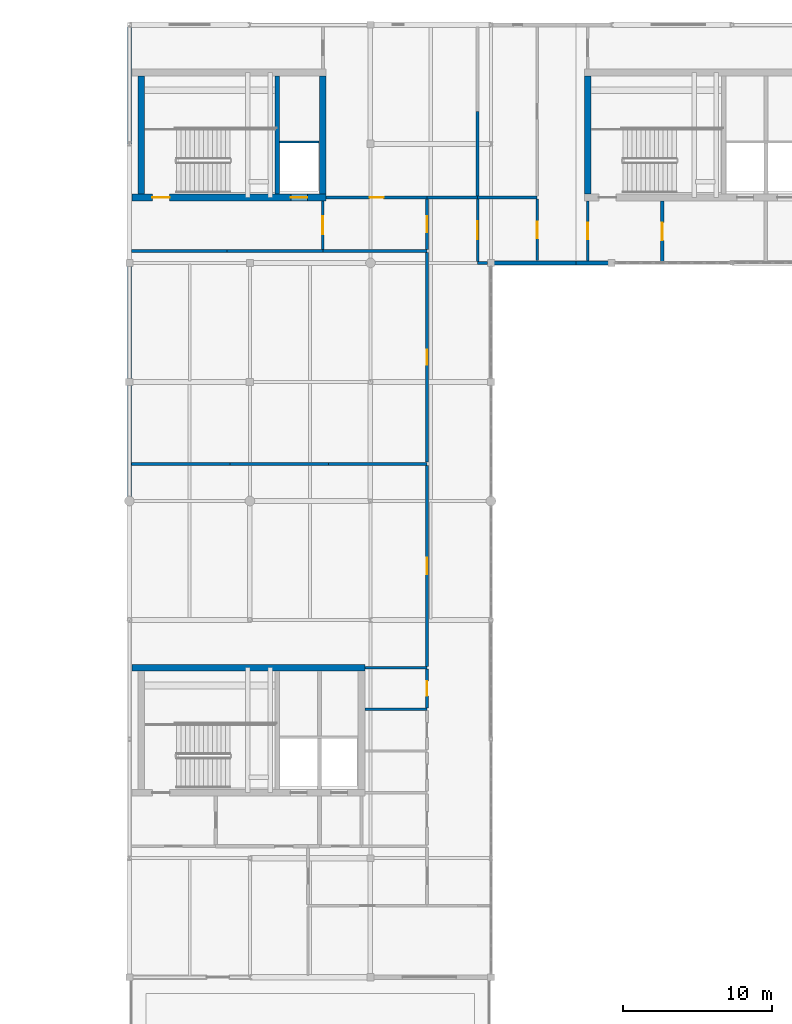
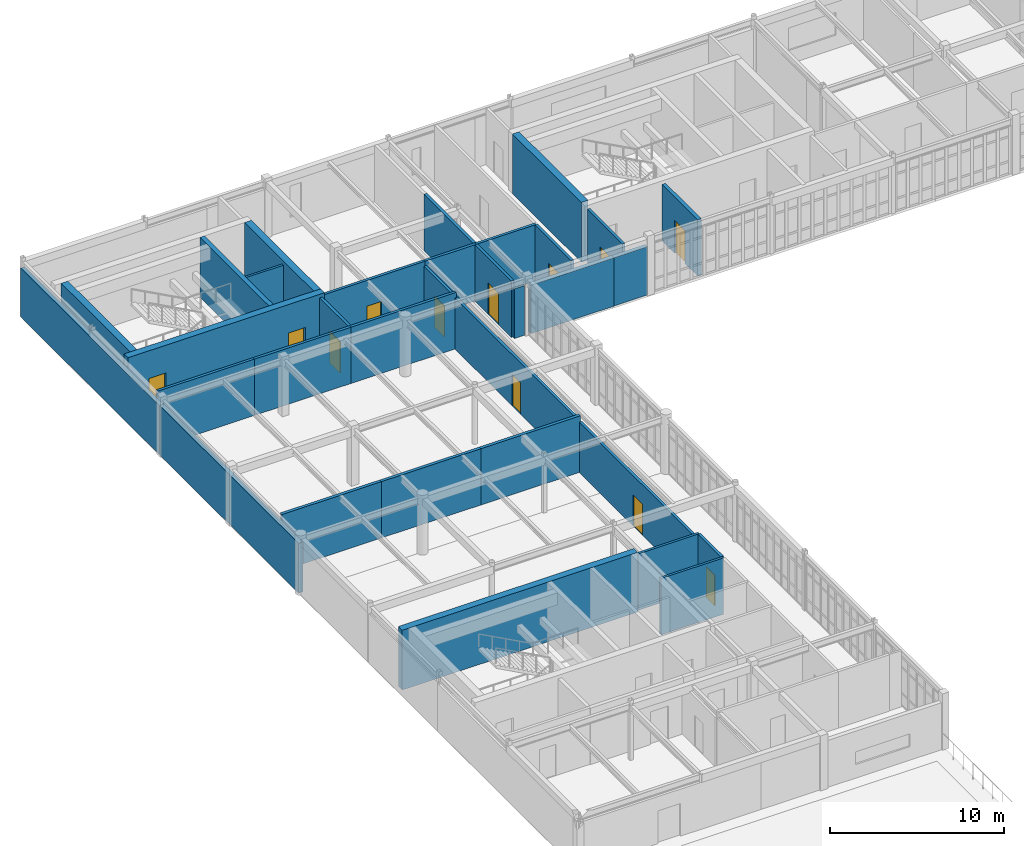
# One storey, part 31 of 36: 33 walls, 12 doors, 12 openings.
"""IFC4 building model written with IfcOpenShell, lengths in metres."""

from ifc_helpers import new_model, si_unit, direction, frame, frame_2d, origin, place, context, subcontext, project, spatial, rectangle, extrude, material, layer, layer_set, type_object, element, fill, save


model = new_model("IFC4")

# Units and contexts
model_context = context("Model", 3, precision=1e-05, world=origin(), true_north=direction((0.0, 1.0)))
body_context = subcontext(model_context, "Body", "Model", "MODEL_VIEW")
ifc_project = project(units=[si_unit("LENGTHUNIT", "METRE"), si_unit("AREAUNIT", "SQUARE_METRE"), si_unit("VOLUMEUNIT", "CUBIC_METRE"), si_unit("PLANEANGLEUNIT", "RADIAN"), si_unit("MASSUNIT", "GRAM", prefix="KILO")], contexts=[model_context])

# Site, building, storey
site_placement = place(None, origin())
site = spatial("IfcSite", under=ifc_project, at=site_placement, CompositionType="ELEMENT")
building_placement = place(site_placement, origin())
building = spatial("IfcBuilding", under=site, at=building_placement, Name="Tarnveldt Square Police Headquarters", CompositionType="ELEMENT")
storey_placement = place(building_placement, frame((0.0, 0.0, 24.89990234375)))
storey = spatial("IfcBuildingStorey", under=building, at=storey_placement, Name="L05", CompositionType="ELEMENT", Elevation=24.89990234375)

# Walls
ifc_material_1 = material(Name="Fire-rated Type X gypsum board on steel studs", Category="steel")
ifc_layer_1 = layer(ifc_material_1, 0.199951171875)
ifc_layer_set_1 = layer_set([ifc_layer_1], Name="Fire-rated Type X gypsum board on steel studs")
wall_type_1 = type_object("IfcWallType", Name="WL-ACOUST-200", PredefinedType="PARTITIONING", material=ifc_layer_set_1)
for number, where, z_axis, x_axis, name in (
    (1, (16.347900390625, 82.5, 0.0), (0.0, 0.0, 1.0), (1.0, 0.0, 0.0), "L05 Interior Partition Wall 0603"),
    (2, (22.96533203125, 82.5, 0.0), (0.0, 0.0, 1.0), (1.0, 0.0, 0.0), "L05 Interior Partition Wall 0604"),
):
    element("IfcWall", number, at=place(storey_placement, frame(where, z_axis=z_axis, x_axis=x_axis)), inside=storey, type_object=wall_type_1, Name=name, PredefinedType="PARTITIONING", context=body_context, shape_type="SweptSolid", body=[
        extrude(rectangle(XDim=6.617431640625, YDim=0.199951171875, at=frame_2d((3.30859375, 0.0))), origin(), (0.0, 0.0, 1.0), 3.960205078125),
    ])
wall_1_placement = place(storey_placement, frame((29.582763671875, 82.5, 0.0), z_axis=(0.0, 0.0, 1.0), x_axis=(1.0, 0.0, 0.0)))
element("IfcWall", 3, at=wall_1_placement, inside=storey, type_object=wall_type_1, Name="L05 Interior Partition Wall 0605", PredefinedType="PARTITIONING", context=body_context, shape_type="SweptSolid", body=[
    extrude(rectangle(XDim=6.6171875, YDim=0.199951171875, at=frame_2d((3.30859375, 0.0))), origin(), (0.0, 0.0, 1.0), 3.960205078125),
])
wall_2_placement = place(storey_placement, frame((39.60009765625, 100.498046875, 0.0), z_axis=(0.0, 0.0, 1.0), x_axis=(0.0, 1.0, 0.0)))
element("IfcWall", 4, at=wall_2_placement, inside=storey, type_object=wall_type_1, Name="L05 Interior Partition Wall 0643", PredefinedType="PARTITIONING", context=body_context, shape_type="SweptSolid", body=[
    extrude(rectangle(XDim=5.677001953125, YDim=0.199951171875, at=frame_2d((2.83837890625, 0.0))), origin(), (0.0, 0.0, 1.0), 3.960205078125),
])
ifc_material_2 = material(Name="Concrete 50 MPa", Category="concrete")
ifc_layer_2 = layer(ifc_material_2, 0.449951171875)
ifc_layer_set_2 = layer_set([ifc_layer_2], Name="Concrete 50 MPa")
wall_type_2 = type_object("IfcWallType", Name="WL-CORE-450", PredefinedType="SHEAR", material=ifc_layer_set_2)
wall_3_placement = place(storey_placement, frame((16.360107421875, 68.800048828125, 0.0), z_axis=(0.0, 0.0, 1.0), x_axis=(1.0, 0.0, 0.0)))
element("IfcWall", 5, at=wall_3_placement, inside=storey, type_object=wall_type_2, Name="Core K1 South-West Command and Firefighting Core L05 North Shear Wall", PredefinedType="SHEAR", context=body_context, shape_type="SweptSolid", body=[
    extrude(rectangle(XDim=15.664794921875, YDim=0.449951171875, at=frame_2d((7.83251953125, 0.0))), origin(), (0.0, 0.0, 1.0), 4.2001953125),
])

# Wall, openings, doors
wall_4_placement = place(storey_placement, frame((16.360107421875, 100.39990234375, 0.0), z_axis=(0.0, 0.0, 1.0), x_axis=(1.0, 0.0, 0.0)))
wall_4 = element("IfcWall", 6, at=wall_4_placement, inside=storey, type_object=wall_type_2, Name="Core K2 North-West Operations Core L05 South Shear Wall", PredefinedType="SHEAR", context=body_context, shape_type="SweptSolid", body=[
    extrude(rectangle(XDim=13.06494140625, YDim=0.449951171875, at=frame_2d((6.532470703125, 0.0))), origin(), (0.0, 0.0, 1.0), 4.2001953125),
])
opening_1_placement = place(wall_4_placement, frame((1.389892578125, 0.0, 0.0)))
opening_1 = element("IfcOpeningElement", 7, at=opening_1_placement, cuts=wall_4, Name="Opening D-ST2-L05", PredefinedType="OPENING", context=body_context, shape_type="SweptSolid", body=[
    extrude(rectangle(XDim=1.14990234375, YDim=2.25, at=frame_2d((0.574951171875, 1.125))), frame((0.0, 0.23486328125, 0.0), z_axis=(0.0, -1.0, 0.0), x_axis=(1.0, 0.0, 0.0)), (0.0, 0.0, 1.0), 0.469970703125),
])
opening_2_placement = place(wall_4_placement, frame((10.695068359375, 0.0, 0.0)))
opening_2 = element("IfcOpeningElement", 8, at=opening_2_placement, cuts=wall_4, Name="Opening LD-LP2-L05", PredefinedType="OPENING", context=body_context, shape_type="SweptSolid", body=[
    extrude(rectangle(XDim=1.10009765625, YDim=2.199951171875, at=frame_2d((0.550048828125, 1.10009765625))), frame((0.0, 0.23486328125, 0.0), z_axis=(0.0, -1.0, 0.0), x_axis=(1.0, 0.0, 0.0)), (0.0, 0.0, 1.0), 0.469970703125),
])
ifc_material_3 = material(Name="Insulated hollow metal steel door leaf", Category="steel")
door_type_1 = type_object("IfcDoorType", Name="DR-FD90-1150", OperationType="NOTDEFINED", PredefinedType="DOOR", material=ifc_material_3)
door_1_placement = place(opening_1_placement, origin())
door_1 = element("IfcDoor", 9, at=door_1_placement, inside=storey, type_object=door_type_1, Name="Exit Stair ST2 L05 Fire Door", OperationType="SINGLE_SWING_LEFT", OverallHeight=2.25, OverallWidth=1.14990234375, PredefinedType="DOOR", context=body_context, shape_type="SweptSolid", body=[
    extrude(rectangle(XDim=1.14990234375, YDim=2.25, at=frame_2d((0.574951171875, 1.125))), frame((0.0, 0.02490234375, 0.0), z_axis=(0.0, -1.0, 0.0), x_axis=(1.0, 0.0, 0.0)), (0.0, 0.0, 1.0), 0.050048828125),
])
fill(opening_1, door_1)
ifc_material_4 = material(Name="Steel 350W", Category="steel")
door_type_2 = type_object("IfcDoorType", Name="DR-LD-1100", OperationType="DOUBLE_DOOR_SLIDING", PredefinedType="DOOR", material=ifc_material_4)
door_2_placement = place(opening_2_placement, frame((1.10009765625, 0.0, 0.0), z_axis=(0.0, 0.0, 1.0), x_axis=(-1.0, 0.0, 0.0)))
door_2 = element("IfcDoor", 10, at=door_2_placement, inside=storey, type_object=door_type_2, Name="Elevator LP2 L05 Sliding Landing Door", OperationType="DOUBLE_DOOR_SLIDING", OverallHeight=2.199951171875, OverallWidth=1.10009765625, PredefinedType="DOOR", context=body_context, shape_type="SweptSolid", body=[
    extrude(rectangle(XDim=1.10009765625, YDim=2.199951171875, at=frame_2d((0.550048828125, 1.10009765625))), frame((0.0, 0.02490234375, 0.0), z_axis=(0.0, -1.0, 0.0), x_axis=(1.0, 0.0, 0.0)), (0.0, 0.0, 1.0), 0.050048828125),
])
fill(opening_2, door_2)

# Walls
for number, where, z_axis, x_axis, name in (
    (11, (17.0, 100.625, 0.0), (0.0, 0.0, 1.0), (0.0, 1.0, 0.0), "Core K2 North-West Operations Core L05 West Shear Wall"),
    (12, (29.199951171875, 100.625, 0.0), (0.0, 0.0, 1.0), (0.0, 1.0, 0.0), "Core K2 North-West Operations Core L05 East Shear Wall"),
):
    element("IfcWall", number, at=place(storey_placement, frame(where, z_axis=z_axis, x_axis=x_axis)), inside=storey, type_object=wall_type_2, Name=name, PredefinedType="SHEAR", context=body_context, shape_type="SweptSolid", body=[
        extrude(rectangle(XDim=7.949951171875, YDim=0.449951171875, at=frame_2d((3.97509765625, 0.0))), origin(), (0.0, 0.0, 1.0), 4.2001953125),
    ])
wall_5_placement = place(storey_placement, frame((26.14990234375, 100.625, 0.0), z_axis=(0.0, 0.0, 1.0), x_axis=(0.0, 1.0, 0.0)))
element("IfcWall", 13, at=wall_5_placement, inside=storey, type_object=wall_type_2, Name="Core K2 North-West Operations Core L05 Stair-Lift Divider Shear Wall", PredefinedType="SHEAR", context=body_context, shape_type="SweptSolid", body=[
    extrude(rectangle(XDim=7.949951171875, YDim=0.300048828125, at=frame_2d((3.97509765625, 0.0))), origin(), (0.0, 0.0, 1.0), 4.2001953125),
])
wall_6_placement = place(storey_placement, frame((47.0, 100.625, 0.0), z_axis=(0.0, 0.0, 1.0), x_axis=(0.0, 1.0, 0.0)))
element("IfcWall", 14, at=wall_6_placement, inside=storey, type_object=wall_type_2, Name="Core K3 North-Central Forensic and Firefighting Core L05 West Shear Wall", PredefinedType="SHEAR", context=body_context, shape_type="SweptSolid", body=[
    extrude(rectangle(XDim=7.949951171875, YDim=0.449951171875, at=frame_2d((3.97509765625, 0.0))), origin(), (0.0, 0.0, 1.0), 4.2001953125),
])
ifc_material_5 = material(Name="Precast concrete 35 MPa", Category="concrete")
ifc_layer_3 = layer(ifc_material_5, 0.260009765625)
ifc_layer_set_3 = layer_set([ifc_layer_3], Name="Precast concrete 35 MPa")
wall_type_3 = type_object("IfcWallType", Name="WL-EXT-PC260", PredefinedType="SOLIDWALL", material=ifc_layer_set_3)
wall_7_placement = place(storey_placement, frame((46.199951171875, 96.0, 0.0), z_axis=(0.0, 0.0, 1.0), x_axis=(1.0, 0.0, 0.0)))
element("IfcWall", 15, at=wall_7_placement, inside=storey, type_object=wall_type_3, Name="L05 Brutalist Exterior Wall 0214", PredefinedType="SOLIDWALL", context=body_context, shape_type="SweptSolid", body=[
    extrude(rectangle(XDim=2.219970703125, YDim=0.260009765625, at=frame_2d((1.10986328125, 0.0))), origin(), (0.0, 0.0, 1.0), 3.402099609375),
])
ifc_layer_4 = layer(ifc_material_5, 0.280029296875)
ifc_layer_set_4 = layer_set([ifc_layer_4], Name="Precast concrete 35 MPa")
wall_type_4 = type_object("IfcWallType", Name="WL-EXT-PC280", PredefinedType="SOLIDWALL", material=ifc_layer_set_4)
wall_8_placement = place(storey_placement, frame((40.679931640625, 96.0, 0.0), z_axis=(0.0, 0.0, 1.0), x_axis=(1.0, 0.0, 0.0)))
element("IfcWall", 16, at=wall_8_placement, inside=storey, type_object=wall_type_4, Name="L05 Brutalist Exterior Wall 0213", PredefinedType="SOLIDWALL", context=body_context, shape_type="SweptSolid", body=[
    extrude(rectangle(XDim=5.52001953125, YDim=0.280029296875, at=frame_2d((2.760009765625, 0.0))), origin(), (0.0, 0.0, 1.0), 3.402099609375),
])
wall_9_placement = place(storey_placement, frame((16.199951171875, 112.0, 0.0), z_axis=(0.0, 0.0, 1.0), x_axis=(0.0, -1.0, 0.0)))
element("IfcWall", 17, at=wall_9_placement, inside=storey, type_object=wall_type_4, Name="L05 Brutalist Exterior Wall 0223", PredefinedType="SOLIDWALL", context=body_context, shape_type="SweptSolid", body=[
    extrude(rectangle(XDim=16.0, YDim=0.280029296875, at=frame_2d((8.0, 0.0))), origin(), (0.0, 0.0, 1.0), 3.4521484375),
])
wall_10_placement = place(storey_placement, frame((16.199951171875, 96.0, 0.0), z_axis=(0.0, 0.0, 1.0), x_axis=(0.0, -1.0, 0.0)))
element("IfcWall", 18, at=wall_10_placement, inside=storey, type_object=wall_type_4, Name="L05 Brutalist Exterior Wall 0224", PredefinedType="SOLIDWALL", context=body_context, shape_type="SweptSolid", body=[
    extrude(rectangle(XDim=16.0, YDim=0.280029296875, at=frame_2d((8.0, 0.0))), origin(), (0.0, 0.0, 1.0), 3.489013671875),
])
ifc_layer_5 = layer(ifc_material_1, 0.179931640625)
ifc_layer_set_5 = layer_set([ifc_layer_5], Name="Fire-rated Type X gypsum board on steel studs")
wall_type_5 = type_object("IfcWallType", Name="WL-FIRE-180", PredefinedType="PARTITIONING", material=ifc_layer_set_5)
for number, where, z_axis, x_axis, name in (
    (19, (16.347900390625, 96.800048828125, 0.0), (0.0, 0.0, 1.0), (1.0, 0.0, 0.0), "L05 Interior Partition Wall 0606"),
    (20, (22.77392578125, 96.800048828125, 0.0), (0.0, 0.0, 1.0), (1.0, 0.0, 0.0), "L05 Interior Partition Wall 0607"),
):
    element("IfcWall", number, at=place(storey_placement, frame(where, z_axis=z_axis, x_axis=x_axis)), inside=storey, type_object=wall_type_5, Name=name, PredefinedType="PARTITIONING", context=body_context, shape_type="SweptSolid", body=[
        extrude(rectangle(XDim=6.426025390625, YDim=0.179931640625, at=frame_2d((3.212890625, 0.0))), origin(), (0.0, 0.0, 1.0), 3.960205078125),
    ])
wall_11_placement = place(storey_placement, frame((29.199951171875, 96.800048828125, 0.0), z_axis=(0.0, 0.0, 1.0), x_axis=(1.0, 0.0, 0.0)))
element("IfcWall", 21, at=wall_11_placement, inside=storey, type_object=wall_type_5, Name="L05 Interior Partition Wall 0612", PredefinedType="PARTITIONING", context=body_context, shape_type="SweptSolid", body=[
    extrude(rectangle(XDim=7.0, YDim=0.179931640625, at=frame_2d((3.5, 0.0))), origin(), (0.0, 0.0, 1.0), 3.960205078125),
])

# Wall, opening, door
wall_12_placement = place(storey_placement, frame((29.425048828125, 100.39990234375, 0.0), z_axis=(0.0, 0.0, 1.0), x_axis=(1.0, 0.0, 0.0)))
wall_12 = element("IfcWall", 22, at=wall_12_placement, inside=storey, type_object=wall_type_5, Name="L05 Interior Partition Wall 0613", PredefinedType="PARTITIONING", context=body_context, shape_type="SweptSolid", body=[
    extrude(rectangle(XDim=6.77490234375, YDim=0.179931640625, at=frame_2d((3.387451171875, 0.0))), origin(), (0.0, 0.0, 1.0), 3.960205078125),
])
opening_3_placement = place(wall_12_placement, frame((2.91259765625, 0.0, 0.0)))
opening_3 = element("IfcOpeningElement", 23, at=opening_3_placement, cuts=wall_12, Name="Opening D03", PredefinedType="OPENING", context=body_context, shape_type="SweptSolid", body=[
    extrude(rectangle(XDim=0.949951171875, YDim=2.14990234375, at=frame_2d((0.47509765625, 1.074951171875))), frame((0.0, 0.099853515625, 0.0), z_axis=(0.0, -1.0, 0.0), x_axis=(1.0, 0.0, 0.0)), (0.0, 0.0, 1.0), 0.199951171875),
])
ifc_material_6 = material(Name="Solid core architectural birch door leaf", Category="wood")
door_type_3 = type_object("IfcDoorType", Name="DR-INT-950", OperationType="NOTDEFINED", PredefinedType="DOOR", material=ifc_material_6)
door_3_placement = place(opening_3_placement, origin())
door_3 = element("IfcDoor", 24, at=door_3_placement, inside=storey, type_object=door_type_3, Name="Forensic Behavioral Interview Suite Door", OperationType="SINGLE_SWING_LEFT", OverallHeight=2.14990234375, OverallWidth=0.949951171875, PredefinedType="DOOR", context=body_context, shape_type="SweptSolid", body=[
    extrude(rectangle(XDim=0.949951171875, YDim=2.14990234375, at=frame_2d((0.47509765625, 1.074951171875))), frame((0.0, 0.02490234375, 0.0), z_axis=(0.0, -1.0, 0.0), x_axis=(1.0, 0.0, 0.0)), (0.0, 0.0, 1.0), 0.050048828125),
])
fill(opening_3, door_3)

# Walls
wall_13_placement = place(storey_placement, frame((36.199951171875, 100.39990234375, 0.0), z_axis=(0.0, 0.0, 1.0), x_axis=(1.0, 0.0, 0.0)))
element("IfcWall", 25, at=wall_13_placement, inside=storey, type_object=wall_type_5, Name="L05 Interior Partition Wall 0620", PredefinedType="PARTITIONING", context=body_context, shape_type="SweptSolid", body=[
    extrude(rectangle(XDim=3.400146484375, YDim=0.179931640625, at=frame_2d((1.7001953125, 0.0))), origin(), (0.0, 0.0, 1.0), 3.960205078125),
])
wall_14_placement = place(storey_placement, frame((39.60009765625, 96.0, 0.0), z_axis=(0.0, 0.0, 1.0), x_axis=(1.0, 0.0, 0.0)))
element("IfcWall", 26, at=wall_14_placement, inside=storey, type_object=wall_type_5, Name="L05 Interior Partition Wall 0622", PredefinedType="PARTITIONING", context=body_context, shape_type="SweptSolid", body=[
    extrude(rectangle(XDim=0.6669921875, YDim=0.179931640625, at=frame_2d((0.33349609375, 0.0))), origin(), (0.0, 0.0, 1.0), 3.489013671875),
])
wall_15_placement = place(storey_placement, frame((39.60009765625, 100.39990234375, 0.0), z_axis=(0.0, 0.0, 1.0), x_axis=(1.0, 0.0, 0.0)))
element("IfcWall", 27, at=wall_15_placement, inside=storey, type_object=wall_type_5, Name="L05 Interior Partition Wall 0623", PredefinedType="PARTITIONING", context=body_context, shape_type="SweptSolid", body=[
    extrude(rectangle(XDim=4.0, YDim=0.179931640625, at=frame_2d((2.0, 0.0))), origin(), (0.0, 0.0, 1.0), 3.960205078125),
])

# Wall, opening, door
wall_16_placement = place(storey_placement, frame((29.199951171875, 96.89794921875, 0.0), z_axis=(0.0, 0.0, 1.0), x_axis=(0.0, 1.0, 0.0)))
wall_16 = element("IfcWall", 28, at=wall_16_placement, inside=storey, type_object=wall_type_5, Name="L05 Interior Partition Wall 0631", PredefinedType="PARTITIONING", context=body_context, shape_type="SweptSolid", body=[
    extrude(rectangle(XDim=3.26904296875, YDim=0.179931640625, at=frame_2d((1.634521484375, 0.0))), origin(), (0.0, 0.0, 1.0), 3.960205078125),
])
opening_4_placement = place(wall_16_placement, frame((1.034423828125, 0.0, 0.0)))
opening_4 = element("IfcOpeningElement", 29, at=opening_4_placement, cuts=wall_16, Name="Opening D16", PredefinedType="OPENING", context=body_context, shape_type="SweptSolid", body=[
    extrude(rectangle(XDim=1.199951171875, YDim=2.199951171875, at=frame_2d((0.60009765625, 1.10009765625))), frame((0.0, 0.099853515625, 0.0), z_axis=(0.0, -1.0, 0.0), x_axis=(1.0, 0.0, 0.0)), (0.0, 0.0, 1.0), 0.199951171875),
])
door_type_4 = type_object("IfcDoorType", Name="DR-FD60-1200", OperationType="NOTDEFINED", PredefinedType="DOOR", material=ifc_material_3)
door_4_placement = place(opening_4_placement, frame((1.199951171875, 0.0, 0.0), z_axis=(0.0, 0.0, 1.0), x_axis=(-1.0, 0.0, 0.0)))
door_4 = element("IfcDoor", 30, at=door_4_placement, inside=storey, type_object=door_type_4, Name="Core Lift Lobby K2-L05 Door", OperationType="SINGLE_SWING_LEFT", OverallHeight=2.199951171875, OverallWidth=1.199951171875, PredefinedType="DOOR", context=body_context, shape_type="SweptSolid", body=[
    extrude(rectangle(XDim=1.199951171875, YDim=2.199951171875, at=frame_2d((0.60009765625, 1.10009765625))), frame((0.0, 0.02490234375, 0.0), z_axis=(0.0, -1.0, 0.0), x_axis=(1.0, 0.0, 0.0)), (0.0, 0.0, 1.0), 0.050048828125),
])
fill(opening_4, door_4)

wall_17_placement = place(storey_placement, frame((36.199951171875, 66.087890625, 0.0), z_axis=(0.0, 0.0, 1.0), x_axis=(0.0, 1.0, 0.0)))
wall_17 = element("IfcWall", 31, at=wall_17_placement, inside=storey, type_object=wall_type_5, Name="L05 Interior Partition Wall 0638", PredefinedType="PARTITIONING", context=body_context, shape_type="SweptSolid", body=[
    extrude(rectangle(XDim=2.6240234375, YDim=0.179931640625, at=frame_2d((1.31201171875, 0.0))), origin(), (0.0, 0.0, 1.0), 3.960205078125),
])
opening_5_placement = place(wall_17_placement, frame((0.81201171875, 0.0, 0.0)))
opening_5 = element("IfcOpeningElement", 32, at=opening_5_placement, cuts=wall_17, Name="Opening D04", PredefinedType="OPENING", context=body_context, shape_type="SweptSolid", body=[
    extrude(rectangle(XDim=1.0, YDim=2.14990234375, at=frame_2d((0.5, 1.074951171875))), frame((0.0, 0.099853515625, 0.0), z_axis=(0.0, -1.0, 0.0), x_axis=(1.0, 0.0, 0.0)), (0.0, 0.0, 1.0), 0.199951171875),
])
door_type_5 = type_object("IfcDoorType", Name="DR-ACC-1000", OperationType="NOTDEFINED", PredefinedType="DOOR", material=ifc_material_6)
door_5_placement = place(opening_5_placement, origin())
door_5 = element("IfcDoor", 33, at=door_5_placement, inside=storey, type_object=door_type_5, Name="Accessible WC L05 Door", OperationType="SINGLE_SWING_LEFT", OverallHeight=2.14990234375, OverallWidth=1.0, PredefinedType="DOOR", context=body_context, shape_type="SweptSolid", body=[
    extrude(rectangle(XDim=1.0, YDim=2.14990234375, at=frame_2d((0.5, 1.074951171875))), frame((0.0, 0.02490234375, 0.0), z_axis=(0.0, -1.0, 0.0), x_axis=(1.0, 0.0, 0.0)), (0.0, 0.0, 1.0), 0.050048828125),
])
fill(opening_5, door_5)

wall_18_placement = place(storey_placement, frame((36.199951171875, 68.887939453125, 0.0), z_axis=(0.0, 0.0, 1.0), x_axis=(0.0, 1.0, 0.0)))
wall_18 = element("IfcWall", 34, at=wall_18_placement, inside=storey, type_object=wall_type_5, Name="L05 Interior Partition Wall 0639", PredefinedType="PARTITIONING", context=body_context, shape_type="SweptSolid", body=[
    extrude(rectangle(XDim=13.504150390625, YDim=0.179931640625, at=frame_2d((6.751953125, 0.0))), origin(), (0.0, 0.0, 1.0), 3.545166015625),
])
opening_6_placement = place(wall_18_placement, frame((6.201904296875, 0.0, 0.0)))
opening_6 = element("IfcOpeningElement", 35, at=opening_6_placement, cuts=wall_18, Name="Opening D07", PredefinedType="OPENING", context=body_context, shape_type="SweptSolid", body=[
    extrude(rectangle(XDim=1.10009765625, YDim=2.199951171875, at=frame_2d((0.550048828125, 1.10009765625))), frame((0.0, 0.099853515625, 0.0), z_axis=(0.0, -1.0, 0.0), x_axis=(1.0, 0.0, 0.0)), (0.0, 0.0, 1.0), 0.199951171875),
])
door_type_6 = type_object("IfcDoorType", Name="DR-INT-1100", OperationType="NOTDEFINED", PredefinedType="DOOR", material=ifc_material_6)
door_6_placement = place(opening_6_placement, origin())
door_6 = element("IfcDoor", 36, at=door_6_placement, inside=storey, type_object=door_type_6, Name="Homicide Squad Investigation Bureau Door", OperationType="SINGLE_SWING_RIGHT", OverallHeight=2.199951171875, OverallWidth=1.10009765625, PredefinedType="DOOR", context=body_context, shape_type="SweptSolid", body=[
    extrude(rectangle(XDim=1.10009765625, YDim=2.199951171875, at=frame_2d((0.550048828125, 1.10009765625))), frame((0.0, 0.02490234375, 0.0), z_axis=(0.0, -1.0, 0.0), x_axis=(1.0, 0.0, 0.0)), (0.0, 0.0, 1.0), 0.050048828125),
])
fill(opening_6, door_6)

wall_19_placement = place(storey_placement, frame((36.199951171875, 82.60791015625, 0.0), z_axis=(0.0, 0.0, 1.0), x_axis=(0.0, 1.0, 0.0)))
wall_19 = element("IfcWall", 37, at=wall_19_placement, inside=storey, type_object=wall_type_5, Name="L05 Interior Partition Wall 0640", PredefinedType="PARTITIONING", context=body_context, shape_type="SweptSolid", body=[
    extrude(rectangle(XDim=14.093994140625, YDim=0.179931640625, at=frame_2d((7.046875, 0.0))), origin(), (0.0, 0.0, 1.0), 3.60498046875),
])
opening_7_placement = place(wall_19_placement, frame((6.547119140625, 0.0, 0.0)))
opening_7 = element("IfcOpeningElement", 38, at=opening_7_placement, cuts=wall_19, Name="Opening D05", PredefinedType="OPENING", context=body_context, shape_type="SweptSolid", body=[
    extrude(rectangle(XDim=1.0, YDim=2.199951171875, at=frame_2d((0.5, 1.10009765625))), frame((0.0, 0.099853515625, 0.0), z_axis=(0.0, -1.0, 0.0), x_axis=(1.0, 0.0, 0.0)), (0.0, 0.0, 1.0), 0.199951171875),
])
door_type_7 = type_object("IfcDoorType", Name="DR-INT-1000", OperationType="NOTDEFINED", PredefinedType="DOOR", material=ifc_material_6)
door_7_placement = place(opening_7_placement, origin())
door_7 = element("IfcDoor", 39, at=door_7_placement, inside=storey, type_object=door_type_7, Name="Cold Case Homicide Review Room Door", OperationType="SINGLE_SWING_LEFT", OverallHeight=2.199951171875, OverallWidth=1.0, PredefinedType="DOOR", context=body_context, shape_type="SweptSolid", body=[
    extrude(rectangle(XDim=1.0, YDim=2.199951171875, at=frame_2d((0.5, 1.10009765625))), frame((0.0, 0.02490234375, 0.0), z_axis=(0.0, -1.0, 0.0), x_axis=(1.0, 0.0, 0.0)), (0.0, 0.0, 1.0), 0.050048828125),
])
fill(opening_7, door_7)

wall_20_placement = place(storey_placement, frame((36.199951171875, 96.89794921875, 0.0), z_axis=(0.0, 0.0, 1.0), x_axis=(0.0, 1.0, 0.0)))
wall_20 = element("IfcWall", 40, at=wall_20_placement, inside=storey, type_object=wall_type_5, Name="L05 Interior Partition Wall 0641", PredefinedType="PARTITIONING", context=body_context, shape_type="SweptSolid", body=[
    extrude(rectangle(XDim=3.404052734375, YDim=0.179931640625, at=frame_2d((1.7021484375, 0.0))), origin(), (0.0, 0.0, 1.0), 3.649169921875),
])
opening_8_placement = place(wall_20_placement, frame((1.152099609375, 0.0, 0.0)))
opening_8 = element("IfcOpeningElement", 41, at=opening_8_placement, cuts=wall_20, Name="Opening D15", PredefinedType="OPENING", context=body_context, shape_type="SweptSolid", body=[
    extrude(rectangle(XDim=1.10009765625, YDim=2.199951171875, at=frame_2d((0.550048828125, 1.10009765625))), frame((0.0, 0.099853515625, 0.0), z_axis=(0.0, -1.0, 0.0), x_axis=(1.0, 0.0, 0.0)), (0.0, 0.0, 1.0), 0.199951171875),
])
door_type_8 = type_object("IfcDoorType", Name="DR-FD60-1100", OperationType="NOTDEFINED", PredefinedType="DOOR", material=ifc_material_3)
door_8_placement = place(opening_8_placement, origin())
door_8 = element("IfcDoor", 42, at=door_8_placement, inside=storey, type_object=door_type_8, Name="Core K2 East Vestibule L05 Door", OperationType="SINGLE_SWING_RIGHT", OverallHeight=2.199951171875, OverallWidth=1.10009765625, PredefinedType="DOOR", context=body_context, shape_type="SweptSolid", body=[
    extrude(rectangle(XDim=1.10009765625, YDim=2.199951171875, at=frame_2d((0.550048828125, 1.10009765625))), frame((0.0, 0.02490234375, 0.0), z_axis=(0.0, -1.0, 0.0), x_axis=(1.0, 0.0, 0.0)), (0.0, 0.0, 1.0), 0.050048828125),
])
fill(opening_8, door_8)

wall_21_placement = place(storey_placement, frame((39.60009765625, 96.097900390625, 0.0), z_axis=(0.0, 0.0, 1.0), x_axis=(0.0, 1.0, 0.0)))
wall_21 = element("IfcWall", 43, at=wall_21_placement, inside=storey, type_object=wall_type_5, Name="L05 Interior Partition Wall 0642", PredefinedType="PARTITIONING", context=body_context, shape_type="SweptSolid", body=[
    extrude(rectangle(XDim=4.2041015625, YDim=0.179931640625, at=frame_2d((2.10205078125, 0.0))), origin(), (0.0, 0.0, 1.0), 3.960205078125),
])
opening_9_placement = place(wall_21_placement, frame((1.501953125, 0.0, 0.0)))
opening_9 = element("IfcOpeningElement", 44, at=opening_9_placement, cuts=wall_21, Name="Opening D16", PredefinedType="OPENING", context=body_context, shape_type="SweptSolid", body=[
    extrude(rectangle(XDim=1.199951171875, YDim=2.199951171875, at=frame_2d((0.60009765625, 1.10009765625))), frame((0.0, 0.099853515625, 0.0), z_axis=(0.0, -1.0, 0.0), x_axis=(1.0, 0.0, 0.0)), (0.0, 0.0, 1.0), 0.199951171875),
])
door_9_placement = place(opening_9_placement, frame((1.199951171875, 0.0, 0.0), z_axis=(0.0, 0.0, 1.0), x_axis=(-1.0, 0.0, 0.0)))
door_9 = element("IfcDoor", 45, at=door_9_placement, inside=storey, type_object=door_type_4, Name="North-West Forensic Vestibule L05 Door", OperationType="SINGLE_SWING_LEFT", OverallHeight=2.199951171875, OverallWidth=1.199951171875, PredefinedType="DOOR", context=body_context, shape_type="SweptSolid", body=[
    extrude(rectangle(XDim=1.199951171875, YDim=2.199951171875, at=frame_2d((0.60009765625, 1.10009765625))), frame((0.0, 0.02490234375, 0.0), z_axis=(0.0, -1.0, 0.0), x_axis=(1.0, 0.0, 0.0)), (0.0, 0.0, 1.0), 0.050048828125),
])
fill(opening_9, door_9)

wall_22_placement = place(storey_placement, frame((43.60009765625, 96.14794921875, 0.0), z_axis=(0.0, 0.0, 1.0), x_axis=(0.0, 1.0, 0.0)))
wall_22 = element("IfcWall", 46, at=wall_22_placement, inside=storey, type_object=wall_type_5, Name="L05 Interior Partition Wall 0645", PredefinedType="PARTITIONING", context=body_context, shape_type="SweptSolid", body=[
    extrude(rectangle(XDim=4.154052734375, YDim=0.179931640625, at=frame_2d((2.0771484375, 0.0))), origin(), (0.0, 0.0, 1.0), 3.960205078125),
])
opening_10_placement = place(wall_22_placement, frame((1.527099609375, 0.0, 0.0)))
opening_10 = element("IfcOpeningElement", 47, at=opening_10_placement, cuts=wall_22, Name="Opening D15", PredefinedType="OPENING", context=body_context, shape_type="SweptSolid", body=[
    extrude(rectangle(XDim=1.10009765625, YDim=2.199951171875, at=frame_2d((0.550048828125, 1.10009765625))), frame((0.0, 0.099853515625, 0.0), z_axis=(0.0, -1.0, 0.0), x_axis=(1.0, 0.0, 0.0)), (0.0, 0.0, 1.0), 0.199951171875),
])
door_10_placement = place(opening_10_placement, origin())
door_10 = element("IfcDoor", 48, at=door_10_placement, inside=storey, type_object=door_type_8, Name="North-West Forensic Vestibule L05 Secondary Door", OperationType="SINGLE_SWING_RIGHT", OverallHeight=2.199951171875, OverallWidth=1.10009765625, PredefinedType="DOOR", context=body_context, shape_type="SweptSolid", body=[
    extrude(rectangle(XDim=1.10009765625, YDim=2.199951171875, at=frame_2d((0.550048828125, 1.10009765625))), frame((0.0, 0.02490234375, 0.0), z_axis=(0.0, -1.0, 0.0), x_axis=(1.0, 0.0, 0.0)), (0.0, 0.0, 1.0), 0.050048828125),
])
fill(opening_10, door_10)

wall_23_placement = place(storey_placement, frame((47.0, 96.137939453125, 0.0), z_axis=(0.0, 0.0, 1.0), x_axis=(0.0, 1.0, 0.0)))
wall_23 = element("IfcWall", 49, at=wall_23_placement, inside=storey, type_object=wall_type_5, Name="L05 Interior Partition Wall 0647", PredefinedType="PARTITIONING", context=body_context, shape_type="SweptSolid", body=[
    extrude(rectangle(XDim=4.029052734375, YDim=0.179931640625, at=frame_2d((2.0146484375, 0.0))), origin(), (0.0, 0.0, 1.0), 3.960205078125),
])
opening_11_placement = place(wall_23_placement, frame((1.464599609375, 0.0, 0.0)))
opening_11 = element("IfcOpeningElement", 50, at=opening_11_placement, cuts=wall_23, Name="Opening D15", PredefinedType="OPENING", context=body_context, shape_type="SweptSolid", body=[
    extrude(rectangle(XDim=1.10009765625, YDim=2.199951171875, at=frame_2d((0.550048828125, 1.10009765625))), frame((0.0, 0.099853515625, 0.0), z_axis=(0.0, -1.0, 0.0), x_axis=(1.0, 0.0, 0.0)), (0.0, 0.0, 1.0), 0.199951171875),
])
door_11_placement = place(opening_11_placement, origin())
door_11 = element("IfcDoor", 51, at=door_11_placement, inside=storey, type_object=door_type_8, Name="Core Stair Lobby K3-L05 Door", OperationType="SINGLE_SWING_RIGHT", OverallHeight=2.199951171875, OverallWidth=1.10009765625, PredefinedType="DOOR", context=body_context, shape_type="SweptSolid", body=[
    extrude(rectangle(XDim=1.10009765625, YDim=2.199951171875, at=frame_2d((0.550048828125, 1.10009765625))), frame((0.0, 0.02490234375, 0.0), z_axis=(0.0, -1.0, 0.0), x_axis=(1.0, 0.0, 0.0)), (0.0, 0.0, 1.0), 0.050048828125),
])
fill(opening_11, door_11)

ifc_material_7 = material(Name="Concrete block masonry 15 MPa", Category="masonry")
ifc_layer_6 = layer(ifc_material_7, 0.239990234375)
ifc_layer_set_6 = layer_set([ifc_layer_6], Name="Concrete block masonry 15 MPa")
wall_type_6 = type_object("IfcWallType", Name="WL-FIRE-240", PredefinedType="PARTITIONING", material=ifc_layer_set_6)
wall_24_placement = place(storey_placement, frame((52.0, 96.06494140625, 0.0), z_axis=(0.0, 0.0, 1.0), x_axis=(0.0, 1.0, 0.0)))
wall_24 = element("IfcWall", 52, at=wall_24_placement, inside=storey, type_object=wall_type_6, Name="L05 Interior Partition Wall 0649", PredefinedType="PARTITIONING", context=body_context, shape_type="SweptSolid", body=[
    extrude(rectangle(XDim=4.10205078125, YDim=0.239990234375, at=frame_2d((2.051025390625, 0.0))), origin(), (0.0, 0.0, 1.0), 3.960205078125),
])
opening_12_placement = place(wall_24_placement, frame((1.450927734375, 0.0, 0.0)))
opening_12 = element("IfcOpeningElement", 53, at=opening_12_placement, cuts=wall_24, Name="Opening D20", PredefinedType="OPENING", context=body_context, shape_type="SweptSolid", body=[
    extrude(rectangle(XDim=1.199951171875, YDim=2.300048828125, at=frame_2d((0.60009765625, 1.14990234375))), frame((0.0, 0.1298828125, 0.0), z_axis=(0.0, -1.0, 0.0), x_axis=(1.0, 0.0, 0.0)), (0.0, 0.0, 1.0), 0.260009765625),
])
door_type_9 = type_object("IfcDoorType", Name="DR-FD90-1200", OperationType="NOTDEFINED", PredefinedType="DOOR", material=ifc_material_3)
door_12_placement = place(opening_12_placement, origin())
door_12 = element("IfcDoor", 54, at=door_12_placement, inside=storey, type_object=door_type_9, Name="Firefighting Lift Lobby K3-L05 Door", OperationType="SINGLE_SWING_RIGHT", OverallHeight=2.300048828125, OverallWidth=1.199951171875, PredefinedType="DOOR", context=body_context, shape_type="SweptSolid", body=[
    extrude(rectangle(XDim=1.199951171875, YDim=2.300048828125, at=frame_2d((0.60009765625, 1.14990234375))), frame((0.0, 0.02490234375, 0.0), z_axis=(0.0, -1.0, 0.0), x_axis=(1.0, 0.0, 0.0)), (0.0, 0.0, 1.0), 0.050048828125),
])
fill(opening_12, door_12)

# Walls
ifc_layer_7 = layer(ifc_material_1, 0.14990234375)
ifc_layer_set_7 = layer_set([ifc_layer_7], Name="Fire-rated Type X gypsum board on steel studs")
wall_type_7 = type_object("IfcWallType", Name="WL-SHAFT-150", PredefinedType="PARTITIONING", material=ifc_layer_set_7)
wall_25_placement = place(storey_placement, frame((26.300048828125, 104.1201171875, 0.0), z_axis=(0.0, 0.0, 1.0), x_axis=(1.0, 0.0, 0.0)))
element("IfcWall", 55, at=wall_25_placement, inside=storey, type_object=wall_type_7, Name="K2 L05 Elevator Shaft Back Wall", PredefinedType="PARTITIONING", context=body_context, shape_type="SweptSolid", body=[
    extrude(rectangle(XDim=2.64990234375, YDim=0.14990234375, at=frame_2d((1.324951171875, 0.0))), origin(), (0.0, 0.0, 1.0), 3.960205078125),
])
ifc_layer_8 = layer(ifc_material_7, 0.159912109375)
ifc_layer_set_8 = layer_set([ifc_layer_8], Name="Concrete block masonry 15 MPa")
wall_type_8 = type_object("IfcWallType", Name="WL-WET-160", PredefinedType="PARTITIONING", material=ifc_layer_set_8)
wall_26_placement = place(storey_placement, frame((32.032958984375, 66.0, 0.0), z_axis=(0.0, 0.0, 1.0), x_axis=(1.0, 0.0, 0.0)))
element("IfcWall", 56, at=wall_26_placement, inside=storey, type_object=wall_type_8, Name="L05 Interior Partition Wall 0617", PredefinedType="PARTITIONING", context=body_context, shape_type="SweptSolid", body=[
    extrude(rectangle(XDim=4.1669921875, YDim=0.159912109375, at=frame_2d((2.08349609375, 0.0))), origin(), (0.0, 0.0, 1.0), 3.960205078125),
])
wall_27_placement = place(storey_placement, frame((32.02490234375, 68.800048828125, 0.0), z_axis=(0.0, 0.0, 1.0), x_axis=(1.0, 0.0, 0.0)))
element("IfcWall", 57, at=wall_27_placement, inside=storey, type_object=wall_type_8, Name="L05 Interior Partition Wall 0618", PredefinedType="PARTITIONING", context=body_context, shape_type="SweptSolid", body=[
    extrude(rectangle(XDim=4.175048828125, YDim=0.159912109375, at=frame_2d((2.08740234375, 0.0))), origin(), (0.0, 0.0, 1.0), 3.960205078125),
])

save(model, "model.ifc")
